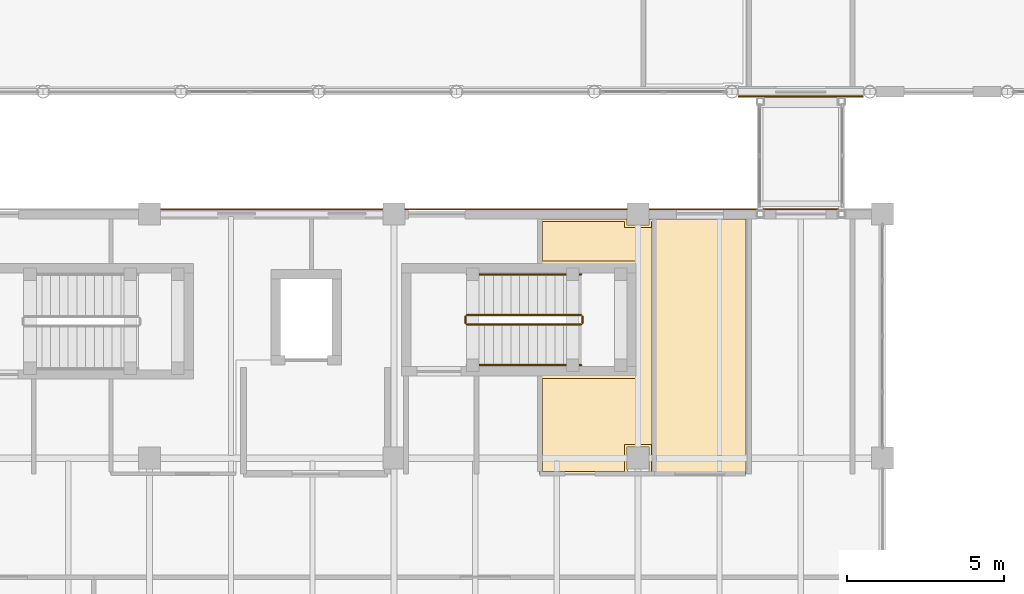
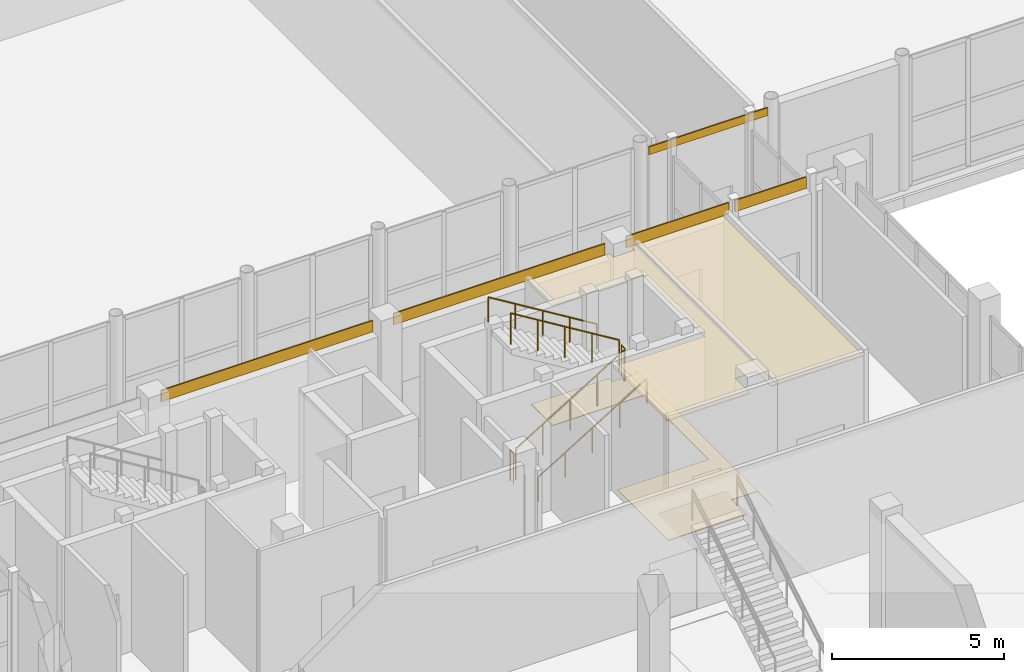
# One storey, part 117 of 131: 8 coverings, 6 railings.
"""IFC4 building model written with IfcOpenShell, lengths in metres."""

from ifc_helpers import new_model, si_unit, direction, frame, origin, origin_2d, place, context, subcontext, project, spatial, polyline, rectangle, circle, outline, extrude, material, layer, layer_set, type_object, element, save


model = new_model("IFC4")

# Units and contexts
model_context = context("Model", 3, precision=1e-05, world=origin(), true_north=direction((0.0, 1.0)))
body_context = subcontext(model_context, "Body", "Model", "MODEL_VIEW")
ifc_project = project(units=[si_unit("LENGTHUNIT", "METRE"), si_unit("AREAUNIT", "SQUARE_METRE"), si_unit("VOLUMEUNIT", "CUBIC_METRE"), si_unit("PLANEANGLEUNIT", "RADIAN"), si_unit("MASSUNIT", "GRAM", prefix="KILO")], contexts=[model_context])

# Site, building, storey
site_placement = place(None, origin())
site = spatial("IfcSite", under=ifc_project, at=site_placement, CompositionType="ELEMENT")
building_placement = place(site_placement, origin())
building = spatial("IfcBuilding", under=site, at=building_placement, Name="Celorna Specialist Clinic", CompositionType="ELEMENT")
storey_placement = place(building_placement, origin())
storey = spatial("IfcBuildingStorey", under=building, at=storey_placement, Name="L00", CompositionType="ELEMENT", Elevation=0.0)

# Coverings
ifc_material_1 = material(Name="Hygienic acoustic mineral-fibre ceiling")
ifc_layer_1 = layer(ifc_material_1, 0.030029296875, Name="Hygienic acoustic mineral-fibre ceiling")
ifc_layer_set_1 = layer_set([ifc_layer_1], Name="Hygienic acoustic mineral-fibre ceiling")
covering_type_1 = type_object("IfcCoveringType", Name="CE-01", PredefinedType="CEILING", material=ifc_layer_set_1)
covering_1_placement = place(storey_placement, frame((0.0, 0.0, 4.330078125)))
element("IfcCovering", 1, at=covering_1_placement, inside=storey, type_object=covering_type_1, Name="Acoustic ceiling L00-105", PredefinedType="CEILING", context=body_context, shape_type="SweptSolid", body=[
    extrude(outline(polyline([(74.85498046875, 34.5849609375), (74.85498046875, 37.735107421875), (77.925048828125, 37.735107421875), (77.925048828125, 41.304931640625), (74.85498046875, 41.304931640625), (74.85498046875, 42.7451171875), (77.64501953125, 42.7451171875), (77.64501953125, 42.544921875), (78.35498046875, 42.544921875), (78.35498046875, 42.7451171875), (78.534912109375, 42.7451171875), (78.534912109375, 34.5849609375), (78.344970703125, 34.5849609375), (78.344970703125, 34.7451171875), (78.35498046875, 34.7451171875), (78.35498046875, 35.455078125), (77.64501953125, 35.455078125), (77.64501953125, 34.7451171875), (77.655029296875, 34.7451171875), (77.655029296875, 34.5849609375), (74.85498046875, 34.5849609375)])), origin(), (0.0, 0.0, 1.0), 0.030029296875),
])
covering_2_placement = place(storey_placement, frame((0.0, 0.0, 4.330078125)))
element("IfcCovering", 2, at=covering_2_placement, inside=storey, type_object=covering_type_1, Name="Acoustic ceiling L00-106", PredefinedType="CEILING", context=body_context, shape_type="SweptSolid", body=[
    extrude(outline(polyline([(81.445068359375, 42.7451171875), (81.445068359375, 34.5849609375), (78.5048828125, 34.5849609375), (78.5048828125, 42.7451171875), (81.445068359375, 42.7451171875)])), origin(), (0.0, 0.0, 1.0), 0.030029296875),
])
ifc_material_2 = material(Name="Pero Pinheiro Lioz limestone rainscreen cladding", Category="masonry")
ifc_layer_2 = layer(ifc_material_2, 0.044921875, Name="Pero Pinheiro Lioz limestone rainscreen cladding")
ifc_layer_set_2 = layer_set([ifc_layer_2], Name="Pero Pinheiro Lioz limestone rainscreen cladding")
covering_type_2 = type_object("IfcCoveringType", Name="CL-01", PredefinedType="CLADDING", material=ifc_layer_set_2)
covering_3_placement = place(storey_placement, frame((83.199951171875, 46.652587890625, 4.259765625), z_axis=(0.0, 0.0, 1.0), x_axis=(-1.0, 0.0, 0.0)))
element("IfcCovering", 3, at=covering_3_placement, inside=storey, type_object=covering_type_2, Name="Lioz spandrel cladding #78", PredefinedType="CLADDING", context=body_context, shape_type="SweptSolid", body=[
    extrude(rectangle(XDim=3.99365234375, YDim=0.044921875, at=origin_2d()), origin(), (0.0, 0.0, 1.0), 0.280029296875),
])
for number, where, z_axis, x_axis, name in (
    (4, (66.300048828125, 43.047607421875, 4.14013671875), (0.0, 0.0, 1.0), (1.0, 0.0, 0.0), "Lioz spandrel cladding #381"),
    (5, (74.10009765625, 43.047607421875, 4.14013671875), (0.0, 0.0, 1.0), (1.0, 0.0, 0.0), "Lioz spandrel cladding #382"),
):
    element("IfcCovering", number, at=place(storey_placement, frame(where, z_axis=z_axis, x_axis=x_axis)), inside=storey, type_object=covering_type_2, Name=name, PredefinedType="CLADDING", context=body_context, shape_type="SweptSolid", body=[
        extrude(rectangle(XDim=7.10009765625, YDim=0.044921875, at=origin_2d()), origin(), (0.0, 0.0, 1.0), 0.39990234375),
    ])
covering_4_placement = place(storey_placement, frame((80.074951171875, 43.047607421875, 4.14013671875), z_axis=(0.0, 0.0, 1.0), x_axis=(1.0, 0.0, 0.0)))
element("IfcCovering", 6, at=covering_4_placement, inside=storey, type_object=covering_type_2, Name="Lioz spandrel cladding #383", PredefinedType="CLADDING", context=body_context, shape_type="SweptSolid", body=[
    extrude(rectangle(XDim=3.449951171875, YDim=0.044921875, at=origin_2d()), origin(), (0.0, 0.0, 1.0), 0.39990234375),
])
covering_5_placement = place(storey_placement, frame((83.199951171875, 43.047607421875, 4.14013671875), z_axis=(0.0, 0.0, 1.0), x_axis=(1.0, 0.0, 0.0)))
element("IfcCovering", 7, at=covering_5_placement, inside=storey, type_object=covering_type_2, Name="Lioz spandrel cladding #384", PredefinedType="CLADDING", context=body_context, shape_type="SweptSolid", body=[
    extrude(rectangle(XDim=2.39990234375, YDim=0.044921875, at=origin_2d()), origin(), (0.0, 0.0, 1.0), 0.39990234375),
])
ifc_material_3 = material(Name="Seamless antimicrobial clinical vinyl and Lioz terrazzo flooring")
ifc_layer_3 = layer(ifc_material_3, 0.02001953125, Name="Seamless antimicrobial clinical vinyl and Lioz terrazzo flooring")
ifc_layer_set_3 = layer_set([ifc_layer_3], Name="Seamless antimicrobial clinical vinyl and Lioz terrazzo flooring")
covering_type_3 = type_object("IfcCoveringType", Name="FL-01", PredefinedType="FLOORING", material=ifc_layer_set_3)
covering_6_placement = place(storey_placement, origin())
element("IfcCovering", 8, at=covering_6_placement, inside=storey, type_object=covering_type_3, Name="Antimicrobial clinical flooring L00-105", PredefinedType="FLOORING", context=body_context, shape_type="SweptSolid", body=[
    extrude(outline(polyline([(77.56494140625, 34.675048828125), (74.945068359375, 34.675048828125), (74.945068359375, 37.64501953125), (78.014892578125, 37.64501953125), (78.014892578125, 41.39501953125), (74.945068359375, 41.39501953125), (74.945068359375, 42.655029296875), (77.56494140625, 42.655029296875), (77.56494140625, 42.465087890625), (78.43505859375, 42.465087890625), (78.43505859375, 42.655029296875), (78.445068359375, 42.655029296875), (78.445068359375, 34.675048828125), (78.43505859375, 34.675048828125), (78.43505859375, 35.534912109375), (77.56494140625, 35.534912109375), (77.56494140625, 34.675048828125)])), origin(), (0.0, 0.0, 1.0), 0.02001953125),
])

# Railings
ifc_material_4 = material(Name="Powder-coated steel S355", Category="steel")
railing_type_1 = type_object("IfcRailingType", Name="GR-01", PredefinedType="GUARDRAIL", material=ifc_material_4)
railing_1_placement = place(storey_placement, frame((72.5400390625, 39.3701171875, 0.17138671875)))
element("IfcRailing", 9, at=railing_1_placement, inside=storey, type_object=railing_type_1, Name="L00 ST-09 stair guard 1", PredefinedType="GUARDRAIL", context=body_context, shape_type="SweptSolid", body=[
    extrude(circle(Radius=0.02392578125, at=origin_2d()), frame((0.0, 0.0, 1.09619140625), z_axis=(0.852850264322, 0.0, 0.5221555579), x_axis=(0.0, 1.0, 0.0)), (0.0, 0.0, 1.0), 4.267822265625),
    extrude(circle(Radius=0.02099609375, at=origin_2d()), origin(), (0.0, 0.0, 1.0), 1.072021484375),
    extrude(circle(Radius=0.02099609375, at=origin_2d()), frame((0.909912109375, 0.0, 0.55712890625)), (0.0, 0.0, 1.0), 1.072021484375),
    extrude(circle(Radius=0.02099609375, at=origin_2d()), frame((1.81982421875, 0.0, 1.1142578125)), (0.0, 0.0, 1.0), 1.072021484375),
    extrude(circle(Radius=0.02099609375, at=origin_2d()), frame((2.72998046875, 0.0, 1.67138671875)), (0.0, 0.0, 1.0), 1.072021484375),
    extrude(circle(Radius=0.02099609375, at=origin_2d()), frame((3.639892578125, 0.0, 2.228515625)), (0.0, 0.0, 1.0), 1.072021484375),
])
railing_2_placement = place(storey_placement, frame((76.22998046875, 39.419921875, 2.39990234375)))
element("IfcRailing", 10, at=railing_2_placement, inside=storey, type_object=railing_type_1, Name="L00 ST-09 stair guard 2", PredefinedType="GUARDRAIL", context=body_context, shape_type="SweptSolid", body=[
    extrude(circle(Radius=0.02392578125, at=origin_2d()), frame((0.0, 0.0, 1.09619140625), z_axis=(0.0, 1.0, 0.0), x_axis=(-1.0, 0.0, 0.0)), (0.0, 0.0, 1.0), 0.2001953125),
    extrude(circle(Radius=0.02099609375, at=origin_2d()), origin(), (0.0, 0.0, 1.0), 1.072021484375),
    extrude(circle(Radius=0.02099609375, at=origin_2d()), frame((0.0, 0.2001953125, 0.0)), (0.0, 0.0, 1.0), 1.072021484375),
])
railing_3_placement = place(storey_placement, frame((76.179931640625, 39.669921875, 2.571533203125)))
element("IfcRailing", 11, at=railing_3_placement, inside=storey, type_object=railing_type_1, Name="L00 ST-09 stair guard 3", PredefinedType="GUARDRAIL", context=body_context, shape_type="SweptSolid", body=[
    extrude(circle(Radius=0.02392578125, at=origin_2d()), frame((0.0, 0.0, 1.09619140625), z_axis=(-0.852850264322, 0.0, 0.5221555579), x_axis=(0.0, -1.0, 0.0)), (0.0, 0.0, 1.0), 4.267822265625),
    extrude(circle(Radius=0.02099609375, at=origin_2d()), origin(), (0.0, 0.0, 1.0), 1.072021484375),
    extrude(circle(Radius=0.02099609375, at=origin_2d()), frame((-0.909912109375, 0.0, 0.55712890625)), (0.0, 0.0, 1.0), 1.072021484375),
    extrude(circle(Radius=0.02099609375, at=origin_2d()), frame((-1.81982421875, 0.0, 1.1142578125)), (0.0, 0.0, 1.0), 1.072021484375),
    extrude(circle(Radius=0.02099609375, at=origin_2d()), frame((-2.72998046875, 0.0, 1.67138671875)), (0.0, 0.0, 1.0), 1.072021484375),
    extrude(circle(Radius=0.02099609375, at=origin_2d()), frame((-3.639892578125, 0.0, 2.228515625)), (0.0, 0.0, 1.0), 1.072021484375),
])
railing_4_placement = place(storey_placement, frame((72.489990234375, 39.419921875, 0.0)))
element("IfcRailing", 12, at=railing_4_placement, inside=storey, type_object=railing_type_1, Name="L00 ST-09 stair guard 4", PredefinedType="GUARDRAIL", context=body_context, shape_type="SweptSolid", body=[
    extrude(circle(Radius=0.02392578125, at=origin_2d()), frame((0.0, 0.0, 1.09619140625), z_axis=(0.0, 1.0, 0.0), x_axis=(-1.0, 0.0, 0.0)), (0.0, 0.0, 1.0), 0.2001953125),
    extrude(circle(Radius=0.02099609375, at=origin_2d()), origin(), (0.0, 0.0, 1.0), 1.072021484375),
    extrude(circle(Radius=0.02099609375, at=origin_2d()), frame((0.0, 0.2001953125, 0.0)), (0.0, 0.0, 1.0), 1.072021484375),
])
ifc_material_5 = material(Name="Brushed stainless steel handrail", Category="steel")
railing_type_2 = type_object("IfcRailingType", Name="HR-01", PredefinedType="HANDRAIL", material=ifc_material_5)
railing_5_placement = place(storey_placement, frame((72.5400390625, 38.070068359375, 0.17138671875)))
element("IfcRailing", 13, at=railing_5_placement, inside=storey, type_object=railing_type_2, Name="L00 ST-09 stair handrail 1", PredefinedType="HANDRAIL", context=body_context, shape_type="SweptSolid", body=[
    extrude(circle(Radius=0.02392578125, at=origin_2d()), frame((0.0, 0.0, 0.8759765625), z_axis=(0.852850264322, 0.0, 0.5221555579), x_axis=(0.0, 1.0, 0.0)), (0.0, 0.0, 1.0), 4.267822265625),
    extrude(circle(Radius=0.02099609375, at=origin_2d()), origin(), (0.0, 0.0, 1.0), 0.851806640625),
    extrude(circle(Radius=0.02099609375, at=origin_2d()), frame((0.909912109375, 0.0, 0.55712890625)), (0.0, 0.0, 1.0), 0.851806640625),
    extrude(circle(Radius=0.02099609375, at=origin_2d()), frame((1.81982421875, 0.0, 1.1142578125)), (0.0, 0.0, 1.0), 0.851806640625),
    extrude(circle(Radius=0.02099609375, at=origin_2d()), frame((2.72998046875, 0.0, 1.67138671875)), (0.0, 0.0, 1.0), 0.851806640625),
    extrude(circle(Radius=0.02099609375, at=origin_2d()), frame((3.639892578125, 0.0, 2.228515625)), (0.0, 0.0, 1.0), 0.851806640625),
])
railing_6_placement = place(storey_placement, frame((76.179931640625, 40.969970703125, 2.571533203125)))
element("IfcRailing", 14, at=railing_6_placement, inside=storey, type_object=railing_type_2, Name="L00 ST-09 stair handrail 2", PredefinedType="HANDRAIL", context=body_context, shape_type="SweptSolid", body=[
    extrude(circle(Radius=0.02392578125, at=origin_2d()), frame((0.0, 0.0, 0.8759765625), z_axis=(-0.852850264322, 0.0, 0.5221555579), x_axis=(0.0, -1.0, 0.0)), (0.0, 0.0, 1.0), 4.267822265625),
    extrude(circle(Radius=0.02099609375, at=origin_2d()), origin(), (0.0, 0.0, 1.0), 0.851806640625),
    extrude(circle(Radius=0.02099609375, at=origin_2d()), frame((-0.909912109375, 0.0, 0.55712890625)), (0.0, 0.0, 1.0), 0.851806640625),
    extrude(circle(Radius=0.02099609375, at=origin_2d()), frame((-1.81982421875, 0.0, 1.1142578125)), (0.0, 0.0, 1.0), 0.851806640625),
    extrude(circle(Radius=0.02099609375, at=origin_2d()), frame((-2.72998046875, 0.0, 1.67138671875)), (0.0, 0.0, 1.0), 0.851806640625),
    extrude(circle(Radius=0.02099609375, at=origin_2d()), frame((-3.639892578125, 0.0, 2.228515625)), (0.0, 0.0, 1.0), 0.851806640625),
])

save(model, "model.ifc")
